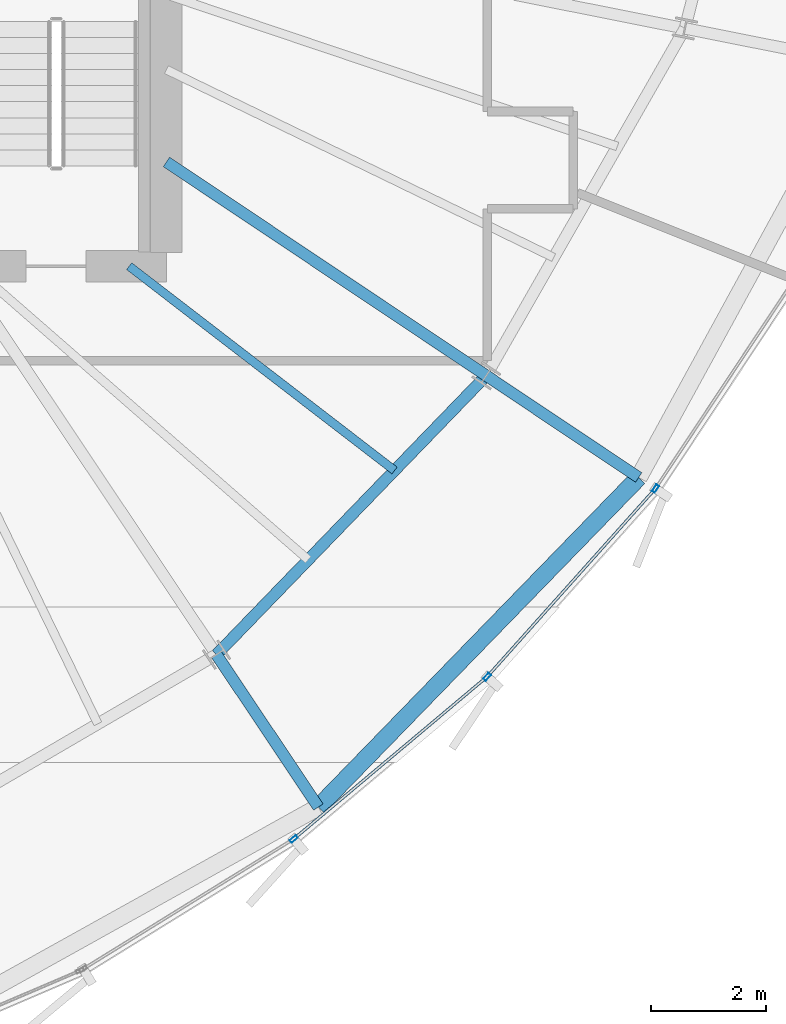
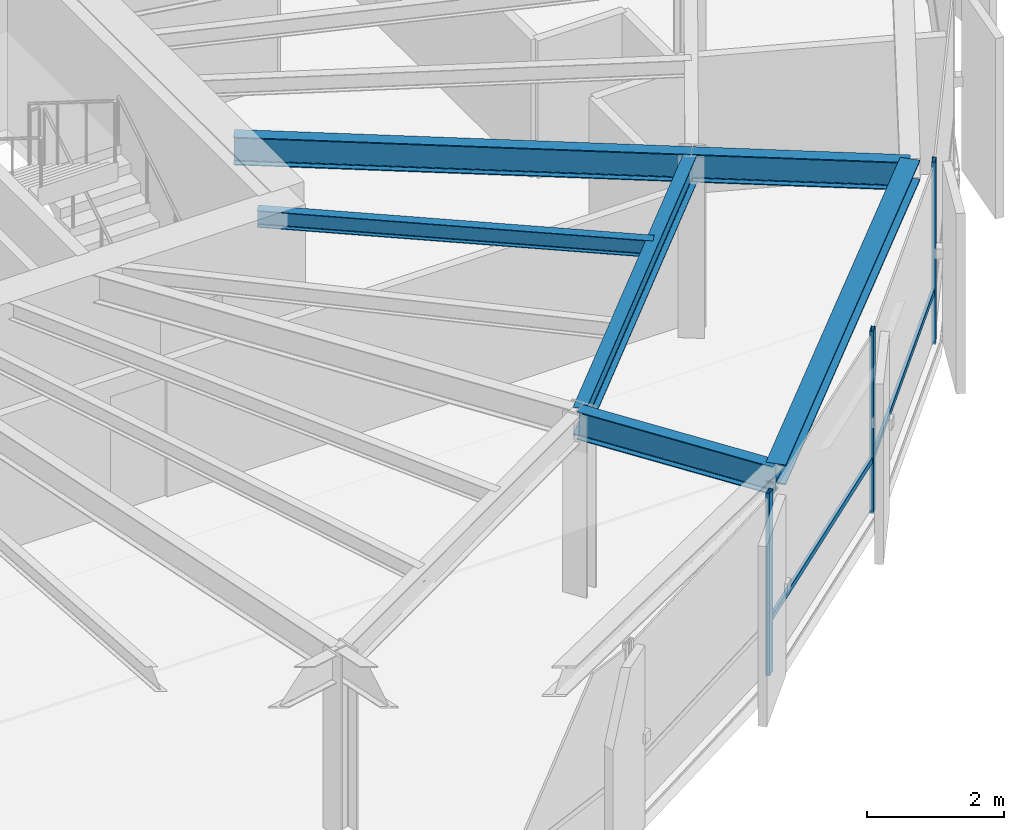
# One storey, part 12 of 33: 6 beams, 5 members, 1 element without a shape of its own.
"""IFC4 building model written with IfcOpenShell, lengths in metres."""

import ifcopenshell
import ifcopenshell.guid

model = None  # the IFC model being written
_history = None  # IfcOwnerHistory: only IFC2X3 demands one
_inside = {}  # id of a spatial element -> (the spatial element, [elements in it])
_under = {}  # id of a project, library or spatial element -> (it, [spatial elements below it])
_declared = {}  # id of a project -> (the project, [libraries it declares])
_typed = {}  # id of a type object -> (the type object, [elements of that type])
_made_of = {}  # id of a material, layer set ... -> (it, [elements and type objects made of it])


def new_model(schema):
    """Start an empty IFC model of exactly this schema.

    Asked for "IFC4X3", IfcOpenShell would pick the latest addendum, in which some entities
    have other attributes; the version numbers below select the first issue.
    IFC2X3 requires an IfcOwnerHistory on every rooted entity: one is made here for all.
    """
    global model, _history
    if schema == "IFC4X3":
        model = ifcopenshell.file(schema_version=(4, 3, 0, 0))
    else:
        model = ifcopenshell.file(schema=schema)
    _inside.clear()
    _under.clear()
    _declared.clear()
    _typed.clear()
    _made_of.clear()
    _history = None
    if model.schema == "IFC2X3":
        org = make("IfcOrganization", Name="unknown")
        user = make(
            "IfcPersonAndOrganization",
            ThePerson=make("IfcPerson", FamilyName="unknown"),
            TheOrganization=org,
        )
        app = make(
            "IfcApplication",
            ApplicationDeveloper=org,
            Version="unknown",
            ApplicationFullName="unknown",
            ApplicationIdentifier="unknown",
        )
        _history = make(
            "IfcOwnerHistory",
            OwningUser=user,
            OwningApplication=app,
            ChangeAction="ADDED",
            CreationDate=0,
        )
    return model


def make(cls, **values):
    """One entity of the class cls with the attributes given. An attribute that is None is left unset."""
    return model.create_entity(
        cls, **{name: value for name, value in values.items() if value is not None}
    )


def rooted(cls, **values):
    """An entity with a GlobalId (a new one), such as an element, a storey or a relation."""
    return make(cls, GlobalId=ifcopenshell.guid.new(), OwnerHistory=_history, **values)


def si_unit(unit_type, name, prefix=None):
    """IfcSIUnit, for example si_unit("LENGTHUNIT", "METRE", prefix="MILLI")."""
    return make("IfcSIUnit", UnitType=unit_type, Prefix=prefix, Name=name)


def assignment(units):
    """IfcUnitAssignment: the units of a project."""
    return None if units is None else make("IfcUnitAssignment", Units=units)


def point(xyz):
    """IfcCartesianPoint."""
    return None if xyz is None else make("IfcCartesianPoint", Coordinates=xyz)


def direction(xyz):
    """IfcDirection."""
    return None if xyz is None else make("IfcDirection", DirectionRatios=xyz)


def frame(location, z_axis=None, x_axis=None):
    """IfcAxis2Placement3D, a coordinate frame: its origin and axes. An axis left out is left unset."""
    return make(
        "IfcAxis2Placement3D",
        Location=point(location),
        Axis=direction(z_axis),
        RefDirection=direction(x_axis),
    )


def frame_2d(location, x_axis=None):
    """IfcAxis2Placement2D, a coordinate frame in the plane: its origin and x axis."""
    return make(
        "IfcAxis2Placement2D", Location=point(location), RefDirection=direction(x_axis)
    )


def origin():
    """The frame at (0, 0, 0) with its axes left unset."""
    return frame((0.0, 0.0, 0.0))


def origin_2d():
    """The frame at (0, 0) in the plane with its x axis left unset."""
    return frame_2d((0.0, 0.0))


def place(relative_to, where):
    """IfcLocalPlacement: puts the frame where relative to a parent placement (None: the world)."""
    return make(
        "IfcLocalPlacement", PlacementRelTo=relative_to, RelativePlacement=where
    )


def context(
    kind, dimensions, precision=None, world=None, true_north=None, identifier=None
):
    """IfcGeometricRepresentationContext, for example the 3D "Model" context."""
    return make(
        "IfcGeometricRepresentationContext",
        ContextIdentifier=identifier,
        ContextType=kind,
        CoordinateSpaceDimension=dimensions,
        Precision=precision,
        WorldCoordinateSystem=world,
        TrueNorth=true_north,
    )


def subcontext(parent, identifier, kind, view, scale=None):
    """IfcGeometricRepresentationSubContext, for example "Body" below "Model"."""
    return make(
        "IfcGeometricRepresentationSubContext",
        ContextIdentifier=identifier,
        ContextType=kind,
        ParentContext=parent,
        TargetScale=scale,
        TargetView=view,
    )


def project(units=None, contexts=None):
    """IfcProject with its units and contexts."""
    return rooted(
        "IfcProject",
        Name="project",
        RepresentationContexts=contexts,
        UnitsInContext=assignment(units),
    )


def spatial(cls, under=None, at=None, **own):
    """A site, building, storey or space (cls), placed at a placement, below another one or the project."""
    s = rooted(cls, ObjectPlacement=at, **own)
    if under is not None:
        _under.setdefault(under.id(), (under, []))[1].append(s)
    return s


def profile(cls, at=None, kind="AREA", **sizes):
    """A parametric profile (cls). Its sizes go by their IFC names, for example OverallWidth=200.0."""
    return make(cls, ProfileType=kind, Position=at, **sizes)


def hollow_rectangle(**sizes):
    """IfcRectangleHollowProfileDef."""
    return profile("IfcRectangleHollowProfileDef", **sizes)


def i_section(**sizes):
    """IfcIShapeProfileDef."""
    return profile("IfcIShapeProfileDef", **sizes)


def extrude(swept, where, along, depth):
    """IfcExtrudedAreaSolid: the profile swept, set in the frame where, extruded along a direction by depth."""
    return make(
        "IfcExtrudedAreaSolid",
        SweptArea=swept,
        Position=where,
        ExtrudedDirection=direction(along),
        Depth=depth,
    )


def shape(context_of_items, identifier, shape_type, items):
    """IfcShapeRepresentation: the items that make up one representation, for example the "Body"."""
    return make(
        "IfcShapeRepresentation",
        ContextOfItems=context_of_items,
        RepresentationIdentifier=identifier,
        RepresentationType=shape_type,
        Items=items,
    )


def source(mapping_origin, context_of_items, identifier, shape_type, items):
    """IfcRepresentationMap: a shape defined once, which mapped items show again and again."""
    return make(
        "IfcRepresentationMap",
        MappingOrigin=mapping_origin,
        MappedRepresentation=shape(context_of_items, identifier, shape_type, items),
    )


def transform(
    local_origin,
    x_axis=None,
    y_axis=None,
    z_axis=None,
    scale=None,
    scale2=None,
    scale3=None,
    uniform=True,
):
    """IfcCartesianTransformationOperator3D, or its non-uniform kind. x_axis, y_axis, z_axis: its Axis1, 2, 3."""
    if uniform:
        return make(
            "IfcCartesianTransformationOperator3D",
            Axis1=direction(x_axis),
            Axis2=direction(y_axis),
            LocalOrigin=point(local_origin),
            Scale=scale,
            Axis3=direction(z_axis),
        )
    return make(
        "IfcCartesianTransformationOperator3DnonUniform",
        Axis1=direction(x_axis),
        Axis2=direction(y_axis),
        LocalOrigin=point(local_origin),
        Scale=scale,
        Axis3=direction(z_axis),
        Scale2=scale2,
        Scale3=scale3,
    )


def mapped(mapping_source, mapping_target):
    """IfcMappedItem: shows the shape of a source again, moved by a transform."""
    return make(
        "IfcMappedItem", MappingSource=mapping_source, MappingTarget=mapping_target
    )


def material(Name=None, Category=None):
    """IfcMaterial."""
    return make("IfcMaterial", Name=Name, Category=Category)


def layer(
    of_material, thickness, ventilated=None, Name=None, Category=None, Priority=None
):
    """IfcMaterialLayer: one layer of a wall or slab, of a material (None: an air gap)."""
    return make(
        "IfcMaterialLayer",
        Material=of_material,
        LayerThickness=thickness,
        IsVentilated=ventilated,
        Name=Name,
        Category=Category,
        Priority=Priority,
    )


def layer_set(layers, Name=None):
    """IfcMaterialLayerSet."""
    return make("IfcMaterialLayerSet", MaterialLayers=layers, LayerSetName=Name)


def material_profile(
    of_material, cross_section, Name=None, Category=None, Priority=None
):
    """IfcMaterialProfile: a cross section and its material."""
    return make(
        "IfcMaterialProfile",
        Name=Name,
        Material=of_material,
        Profile=cross_section,
        Priority=Priority,
        Category=Category,
    )


def profile_set(profiles, Name=None, composite=None):
    """IfcMaterialProfileSet."""
    return make(
        "IfcMaterialProfileSet",
        Name=Name,
        MaterialProfiles=profiles,
        CompositeProfile=composite,
    )


def made_of(thing, what):
    """Note that an element or type object is made of a material, layer set ...; save() writes the relation."""
    if what is not None:
        _made_of.setdefault(what.id(), (what, []))[1].append(thing)
    return thing


def type_object(cls, material=None, **own):
    """A type object (cls), such as IfcWallType, which elements share."""
    return made_of(rooted(cls, **own), material)


def element(
    cls,
    number,
    at=None,
    inside=None,
    cuts=None,
    type_object=None,
    material=None,
    context=None,
    identifier="Body",
    shape_type=None,
    held_by="IfcProductDefinitionShape",
    body=None,
    shapes=None,
    **own,
):
    """One element of the class cls, such as IfcWall. Its Tag is "e" and its number.

    at: its placement. inside: the storey or other place that contains it. cuts: it is an
    opening in that element (IfcRelVoidsElement). A single representation is given by context,
    identifier, shape_type and body (its items); several are given by shapes. held_by: the class
    of the entity that holds the representations. save() writes the other relations.
    """
    e = rooted(cls, Tag="e%d" % number, ObjectPlacement=at, **own)
    if body is not None:
        shapes = [shape(context, identifier, shape_type, body)]
    if shapes is not None:
        e.Representation = make(held_by, Representations=shapes)
    if inside is not None:
        _inside.setdefault(inside.id(), (inside, []))[1].append(e)
    if cuts is not None:
        rooted(
            "IfcRelVoidsElement", RelatingBuildingElement=cuts, RelatedOpeningElement=e
        )
    if type_object is not None:
        _typed.setdefault(type_object.id(), (type_object, []))[1].append(e)
    return made_of(e, material)


def aggregate(whole, parts):
    """IfcRelAggregates: a whole, such as a stair, and the parts it consists of."""
    return rooted("IfcRelAggregates", RelatingObject=whole, RelatedObjects=parts)


def save(model, path):
    """Write the relations noted so far, then the file.

    IfcRelAggregates (storeys below a building ...), IfcRelContainedInSpatialStructure (elements
    in a storey), IfcRelDefinesByType, IfcRelAssociatesMaterial and IfcRelDeclares: one each for
    every whole, place, type object, material and project.
    """
    for whole, parts in _under.values():
        aggregate(whole, parts)
    for where, things in _inside.values():
        rooted(
            "IfcRelContainedInSpatialStructure",
            RelatedElements=things,
            RelatingStructure=where,
        )
    for kind, things in _typed.values():
        rooted("IfcRelDefinesByType", RelatedObjects=things, RelatingType=kind)
    for what, things in _made_of.values():
        rooted("IfcRelAssociatesMaterial", RelatedObjects=things, RelatingMaterial=what)
    for by, libraries in _declared.values():
        rooted("IfcRelDeclares", RelatingContext=by, RelatedDefinitions=libraries)
    model.write(path)


model = new_model("IFC4")

# Units and contexts
model_context = context("Model", 3, precision=1e-05, world=origin(), true_north=direction((0.0, 1.0)))
body_context = subcontext(model_context, "Body", "Model", "MODEL_VIEW")
ifc_project = project(units=[si_unit("LENGTHUNIT", "METRE"), si_unit("AREAUNIT", "SQUARE_METRE"), si_unit("VOLUMEUNIT", "CUBIC_METRE"), si_unit("PLANEANGLEUNIT", "RADIAN"), si_unit("MASSUNIT", "GRAM", prefix="KILO"), si_unit("THERMODYNAMICTEMPERATUREUNIT", "KELVIN")], contexts=[model_context])

# Site, building, storey
site_placement = place(None, origin())
site = spatial("IfcSite", under=ifc_project, at=site_placement, CompositionType="ELEMENT")
building_placement = place(site_placement, origin())
building = spatial("IfcBuilding", under=site, at=building_placement, Name="Kethvar Cultural Tower", CompositionType="ELEMENT")
storey_placement = place(building_placement, frame((0.0, 0.0, 211.39990234375)))
storey = spatial("IfcBuildingStorey", under=building, at=storey_placement, Name="L55", CompositionType="ELEMENT", Elevation=211.39990234375)

# Beams
ifc_material_1 = material(Name="Steel S355J2", Category="steel")
ifc_material_profile_1 = material_profile(ifc_material_1, i_section(OverallWidth=0.199951171875, OverallDepth=0.5, WebThickness=0.01025390625, FlangeThickness=0.01611328125, FilletRadius=0.02099609375, at=origin_2d()), Name="Steel S355J2 — IPE500")
ifc_profile_set_1 = profile_set([ifc_material_profile_1], Name="Steel S355J2 — IPE500")
beam_type_1 = type_object("IfcBeamType", Name="BM-IPE500", PredefinedType="BEAM", material=ifc_profile_set_1)
shared_shape_1 = source(origin(), body_context, "Body", "SweptSolid", [
    extrude(i_section(OverallWidth=0.199951171875, OverallDepth=0.5, WebThickness=0.01025390625, FlangeThickness=0.01611328125, FilletRadius=0.02099609375, at=origin_2d()), origin(), (0.0, 0.0, 1.0), 3.199951171875),
])
for number, where, z_axis, x_axis, name in (
    (1, (56.474609375, 13.32080078125, 3.008056640625), (0.555580212716, -0.831462943996, 0.0), (0.831462943996, 0.555580212716, 0.0), "L55 Perimeter Cantilever Beam RC-14"),
    (2, (61.1826171875, 18.18994140625, 3.008056640625), (0.831462943996, -0.555580212716, 0.0), (0.555580212716, 0.831462943996, 0.0), "L55 Perimeter Cantilever Beam RC-15"),
):
    element("IfcBeam", number, at=place(storey_placement, frame(where, z_axis=z_axis, x_axis=x_axis)), inside=storey, type_object=beam_type_1, Name=name, PredefinedType="BEAM", context=body_context, shape_type="MappedRepresentation", body=[
        mapped(shared_shape_1, transform((0.0, 0.0, 0.0), scale=1.0)),
    ])
shared_shape_2 = source(origin(), body_context, "Body", "SweptSolid", [
    extrude(i_section(OverallWidth=0.199951171875, OverallDepth=0.5, WebThickness=0.01025390625, FlangeThickness=0.01611328125, FilletRadius=0.02099609375, at=origin_2d()), origin(), (0.0, 0.0, 1.0), 6.7138671875),
])
beam_1_placement = place(storey_placement, frame((55.60009765625, 21.919921875, 3.008056640625), z_axis=(0.831479232731, -0.555555834762, 0.0), x_axis=(0.555555834762, 0.831479232731, 0.0)))
element("IfcBeam", 3, at=beam_1_placement, inside=storey, type_object=beam_type_1, Name="L55 Primary Radial Beam RB-15", PredefinedType="BEAM", context=body_context, shape_type="MappedRepresentation", body=[
    mapped(shared_shape_2, transform((0.0, 0.0, 0.0), scale=1.0)),
])
shared_shape_3 = source(origin(), body_context, "Body", "SweptSolid", [
    extrude(i_section(OverallWidth=0.199951171875, OverallDepth=0.5, WebThickness=0.01025390625, FlangeThickness=0.01611328125, FilletRadius=0.02099609375, at=origin_2d()), origin(), (0.0, 0.0, 1.0), 6.77294921875),
])
beam_2_placement = place(storey_placement, frame((56.474609375, 13.32080078125, 3.008056640625), z_axis=(0.695111533644, 0.718901909717, 0.0), x_axis=(-0.718901909717, 0.695111533644, 0.0)))
element("IfcBeam", 4, at=beam_2_placement, inside=storey, type_object=beam_type_1, Name="L55 Column Ring Tie Beam CR-14", PredefinedType="BEAM", context=body_context, shape_type="MappedRepresentation", body=[
    mapped(shared_shape_3, transform((0.0, 0.0, 0.0), scale=1.0)),
])
ifc_material_profile_2 = material_profile(ifc_material_1, i_section(OverallWidth=0.300048828125, OverallDepth=0.360107421875, WebThickness=0.012451171875, FlangeThickness=0.0224609375, FilletRadius=0.027099609375, at=origin_2d()), Name="Steel S355J2 — HEB360")
ifc_profile_set_2 = profile_set([ifc_material_profile_2], Name="Steel S355J2 — HEB360")
beam_type_2 = type_object("IfcBeamType", Name="BM-SP360", PredefinedType="SPANDREL", material=ifc_profile_set_2)
shared_shape_4 = source(origin(), body_context, "Body", "SweptSolid", [
    extrude(i_section(OverallWidth=0.300048828125, OverallDepth=0.360107421875, WebThickness=0.012451171875, FlangeThickness=0.0224609375, FilletRadius=0.027099609375, at=origin_2d()), origin(), (0.0, 0.0, 1.0), 8.021240234375),
])
beam_3_placement = place(storey_placement, frame((58.25244140625, 10.66015625, 3.078125), z_axis=(0.696991461782, 0.71707942531, 0.0), x_axis=(-0.71707942531, 0.696991461782, 0.0)))
element("IfcBeam", 5, at=beam_3_placement, inside=storey, type_object=beam_type_2, Name="L55 Perimeter Spandrel Beam SP-14", PredefinedType="SPANDREL", context=body_context, shape_type="MappedRepresentation", body=[
    mapped(shared_shape_4, transform((0.0, 0.0, 0.0), scale=1.0)),
])
ifc_material_profile_3 = material_profile(ifc_material_1, i_section(OverallWidth=0.14990234375, OverallDepth=0.300048828125, WebThickness=0.007080078125, FlangeThickness=0.0107421875, FilletRadius=0.014892578125, at=origin_2d()), Name="Steel S355J2 — IPE300")
ifc_profile_set_3 = profile_set([ifc_material_profile_3], Name="Steel S355J2 — IPE300")
beam_type_3 = type_object("IfcBeamType", Name="BM-J300", PredefinedType="JOIST", material=ifc_profile_set_3)
shared_shape_5 = source(origin(), body_context, "Body", "SweptSolid", [
    extrude(i_section(OverallWidth=0.14990234375, OverallDepth=0.300048828125, WebThickness=0.007080078125, FlangeThickness=0.0107421875, FilletRadius=0.014892578125, at=origin_2d()), origin(), (0.0, 0.0, 1.0), 5.84521484375),
])
beam_4_placement = place(storey_placement, frame((54.949951171875, 20.10009765625, 3.108154296875), z_axis=(0.792398798307, -0.610003397073, 0.0), x_axis=(0.610003397073, 0.792398798307, 0.0)))
element("IfcBeam", 6, at=beam_4_placement, inside=storey, type_object=beam_type_3, Name="L55 Composite Floor Joist J-14B", PredefinedType="JOIST", context=body_context, shape_type="MappedRepresentation", body=[
    mapped(shared_shape_5, transform((0.0, 0.0, 0.0), scale=1.0)),
])

# Curtain wall, members
ifc_material_2 = material(Name="Aluminium 6063-T6", Category="aluminium")
ifc_layer = layer(ifc_material_2, 0.179931640625, Name="Aluminium 6063-T6", Category="aluminium")
ifc_layer_set = layer_set([ifc_layer], Name="Aluminium 6063-T6 (180 mm)")
curtain_wall_type = type_object("IfcCurtainWallType", Name="CW-SYS-04-Z34", PredefinedType="NOTDEFINED", material=ifc_layer_set)
curtain_wall_placement = place(storey_placement, origin())
curtain_wall = element("IfcCurtainWall", 7, at=curtain_wall_placement, inside=storey, type_object=curtain_wall_type, Name="L55 Curtain Wall Run 05", PredefinedType="NOTDEFINED")
ifc_material_profile_4 = material_profile(ifc_material_2, hollow_rectangle(XDim=0.06005859375, YDim=0.139892578125, WallThickness=0.0048828125, at=origin_2d()), Name="Aluminium 6063-T6 — RHS140x60x5")
ifc_profile_set_4 = profile_set([ifc_material_profile_4], Name="Aluminium 6063-T6 — RHS140x60x5")
member_type_1 = type_object("IfcMemberType", Name="CW-SYS-04-Z34-MUL", PredefinedType="MULLION", material=ifc_profile_set_4)
shared_shape_6 = source(origin(), body_context, "Body", "SweptSolid", [
    extrude(hollow_rectangle(XDim=0.06005859375, YDim=0.139892578125, WallThickness=0.0048828125, at=origin_2d()), origin(), (0.0, 0.0, 1.0), 3.260009765625),
])
member_1_placement = place(storey_placement, frame((57.822998046875, 10.103759765625, 0.0), z_axis=(0.0, 0.0, 1.0), x_axis=(-0.642760869299, 0.766066880173, 0.0)))
member_1 = element("IfcMember", 8, at=member_1_placement, type_object=member_type_1, Name="CW-L55-R05 Mullion 2", PredefinedType="MULLION", context=body_context, shape_type="MappedRepresentation", body=[
    mapped(shared_shape_6, transform((0.0, 0.0, 0.0), scale=1.0)),
])
member_2_placement = place(storey_placement, frame((61.1962890625, 12.9326171875, 0.0), z_axis=(0.0, 0.0, 1.0), x_axis=(-0.745452732856, 0.666558491865, 0.0)))
member_2 = element("IfcMember", 9, at=member_2_placement, type_object=member_type_1, Name="CW-L55-R05 Mullion 3", PredefinedType="MULLION", context=body_context, shape_type="MappedRepresentation", body=[
    mapped(shared_shape_6, transform((0.0, 0.0, 0.0), scale=1.0)),
])
member_3_placement = place(storey_placement, frame((64.13525390625, 16.217529296875, 0.0), z_axis=(0.0, 0.0, 1.0), x_axis=(-0.833172276063, 0.553013524609, 0.0)))
member_3 = element("IfcMember", 10, at=member_3_placement, type_object=member_type_1, Name="CW-L55-R05 Mullion 4", PredefinedType="MULLION", context=body_context, shape_type="MappedRepresentation", body=[
    mapped(shared_shape_6, transform((0.0, 0.0, 0.0), scale=1.0)),
])
ifc_material_profile_5 = material_profile(ifc_material_2, hollow_rectangle(XDim=0.050048828125, YDim=0.10009765625, WallThickness=0.00390625, at=origin_2d()), Name="Aluminium 6063-T6 — RHS100x50x4")
ifc_profile_set_5 = profile_set([ifc_material_profile_5], Name="Aluminium 6063-T6 — RHS100x50x4")
member_type_2 = type_object("IfcMemberType", Name="CW-SYS-04-Z34-TRN", PredefinedType="USERDEFINED", material=ifc_profile_set_5)
shared_shape_7 = source(origin(), body_context, "Body", "SweptSolid", [
    extrude(hollow_rectangle(XDim=0.050048828125, YDim=0.10009765625, WallThickness=0.00390625, at=origin_2d()), origin(), (0.0, 0.0, 1.0), 4.331787109375),
])
member_4_placement = place(storey_placement, frame((57.856201171875, 10.131591796875, 0.9501953125), z_axis=(0.766045613886, 0.642786214418, 0.0), x_axis=(-0.642786214418, 0.766045613886, 0.0)))
member_4 = element("IfcMember", 11, at=member_4_placement, type_object=member_type_2, Name="CW-L55-R05 Transom 2", ObjectType="TRANSOM", PredefinedType="USERDEFINED", context=body_context, shape_type="MappedRepresentation", body=[
    mapped(shared_shape_7, transform((0.0, 0.0, 0.0), scale=1.0)),
])
shared_shape_8 = source(origin(), body_context, "Body", "SweptSolid", [
    extrude(hollow_rectangle(XDim=0.050048828125, YDim=0.10009765625, WallThickness=0.00390625, at=origin_2d()), origin(), (0.0, 0.0, 1.0), 4.337158203125),
])
member_5_placement = place(storey_placement, frame((61.22509765625, 12.96484375, 0.9501953125), z_axis=(0.666544715556, 0.745465050934, 0.0), x_axis=(-0.745465050934, 0.666544715556, 0.0)))
member_5 = element("IfcMember", 12, at=member_5_placement, type_object=member_type_2, Name="CW-L55-R05 Transom 3", ObjectType="TRANSOM", PredefinedType="USERDEFINED", context=body_context, shape_type="MappedRepresentation", body=[
    mapped(shared_shape_8, transform((0.0, 0.0, 0.0), scale=1.0)),
])
aggregate(curtain_wall, [member_1, member_2, member_3, member_4, member_5])

save(model, "model.ifc")
